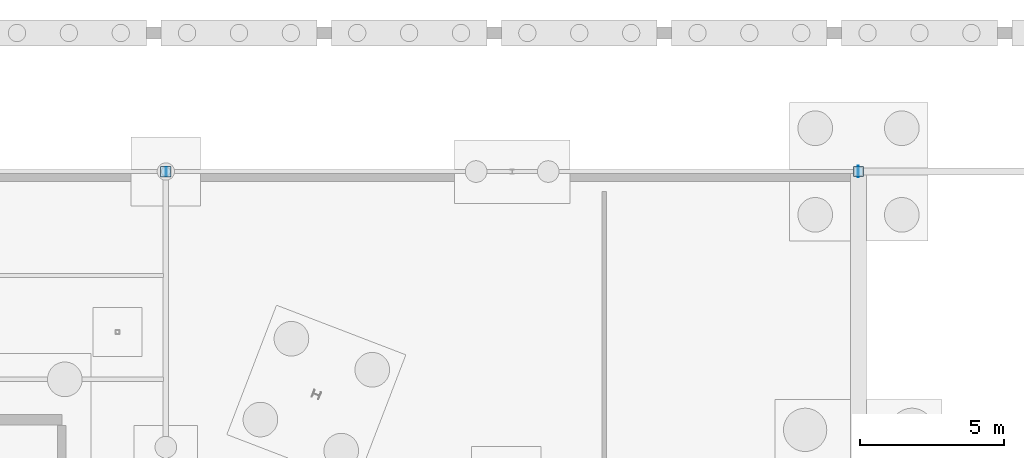
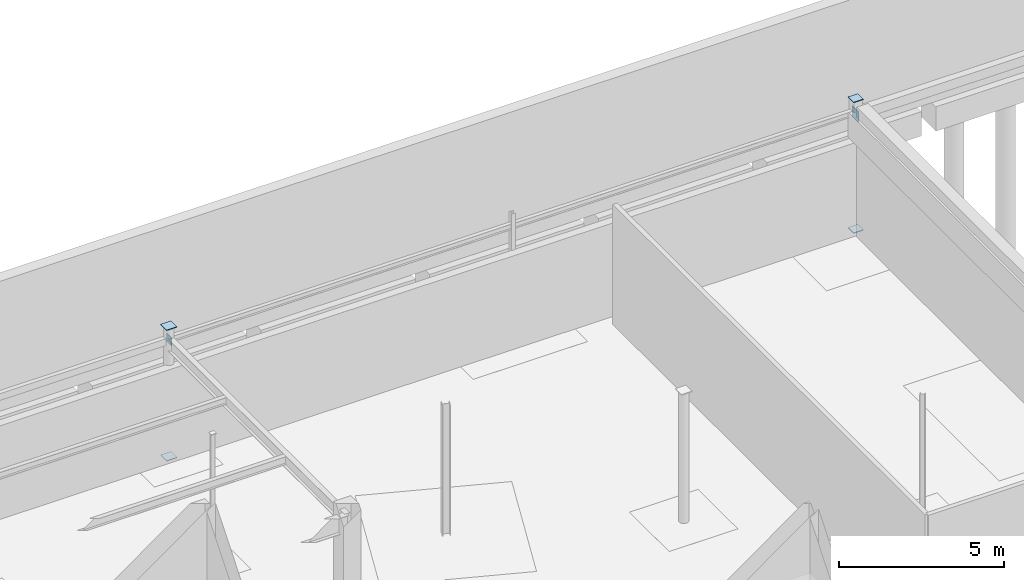
# One storey, part 115 of 136: 6 plates.
"""IFC4 building model written with IfcOpenShell, lengths in metres."""

import ifcopenshell
import ifcopenshell.guid

model = None  # the IFC model being written
_history = None  # IfcOwnerHistory: only IFC2X3 demands one
_inside = {}  # id of a spatial element -> (the spatial element, [elements in it])
_under = {}  # id of a project, library or spatial element -> (it, [spatial elements below it])
_declared = {}  # id of a project -> (the project, [libraries it declares])
_typed = {}  # id of a type object -> (the type object, [elements of that type])
_made_of = {}  # id of a material, layer set ... -> (it, [elements and type objects made of it])


def new_model(schema):
    """Start an empty IFC model of exactly this schema.

    Asked for "IFC4X3", IfcOpenShell would pick the latest addendum, in which some entities
    have other attributes; the version numbers below select the first issue.
    IFC2X3 requires an IfcOwnerHistory on every rooted entity: one is made here for all.
    """
    global model, _history
    if schema == "IFC4X3":
        model = ifcopenshell.file(schema_version=(4, 3, 0, 0))
    else:
        model = ifcopenshell.file(schema=schema)
    _inside.clear()
    _under.clear()
    _declared.clear()
    _typed.clear()
    _made_of.clear()
    _history = None
    if model.schema == "IFC2X3":
        org = make("IfcOrganization", Name="unknown")
        user = make(
            "IfcPersonAndOrganization",
            ThePerson=make("IfcPerson", FamilyName="unknown"),
            TheOrganization=org,
        )
        app = make(
            "IfcApplication",
            ApplicationDeveloper=org,
            Version="unknown",
            ApplicationFullName="unknown",
            ApplicationIdentifier="unknown",
        )
        _history = make(
            "IfcOwnerHistory",
            OwningUser=user,
            OwningApplication=app,
            ChangeAction="ADDED",
            CreationDate=0,
        )
    return model


def make(cls, **values):
    """One entity of the class cls with the attributes given. An attribute that is None is left unset."""
    return model.create_entity(
        cls, **{name: value for name, value in values.items() if value is not None}
    )


def rooted(cls, **values):
    """An entity with a GlobalId (a new one), such as an element, a storey or a relation."""
    return make(cls, GlobalId=ifcopenshell.guid.new(), OwnerHistory=_history, **values)


def si_unit(unit_type, name, prefix=None):
    """IfcSIUnit, for example si_unit("LENGTHUNIT", "METRE", prefix="MILLI")."""
    return make("IfcSIUnit", UnitType=unit_type, Prefix=prefix, Name=name)


def assignment(units):
    """IfcUnitAssignment: the units of a project."""
    return None if units is None else make("IfcUnitAssignment", Units=units)


def point(xyz):
    """IfcCartesianPoint."""
    return None if xyz is None else make("IfcCartesianPoint", Coordinates=xyz)


def direction(xyz):
    """IfcDirection."""
    return None if xyz is None else make("IfcDirection", DirectionRatios=xyz)


def frame(location, z_axis=None, x_axis=None):
    """IfcAxis2Placement3D, a coordinate frame: its origin and axes. An axis left out is left unset."""
    return make(
        "IfcAxis2Placement3D",
        Location=point(location),
        Axis=direction(z_axis),
        RefDirection=direction(x_axis),
    )


def frame_2d(location, x_axis=None):
    """IfcAxis2Placement2D, a coordinate frame in the plane: its origin and x axis."""
    return make(
        "IfcAxis2Placement2D", Location=point(location), RefDirection=direction(x_axis)
    )


def origin():
    """The frame at (0, 0, 0) with its axes left unset."""
    return frame((0.0, 0.0, 0.0))


def origin_2d():
    """The frame at (0, 0) in the plane with its x axis left unset."""
    return frame_2d((0.0, 0.0))


def place(relative_to, where):
    """IfcLocalPlacement: puts the frame where relative to a parent placement (None: the world)."""
    return make(
        "IfcLocalPlacement", PlacementRelTo=relative_to, RelativePlacement=where
    )


def context(
    kind, dimensions, precision=None, world=None, true_north=None, identifier=None
):
    """IfcGeometricRepresentationContext, for example the 3D "Model" context."""
    return make(
        "IfcGeometricRepresentationContext",
        ContextIdentifier=identifier,
        ContextType=kind,
        CoordinateSpaceDimension=dimensions,
        Precision=precision,
        WorldCoordinateSystem=world,
        TrueNorth=true_north,
    )


def subcontext(parent, identifier, kind, view, scale=None):
    """IfcGeometricRepresentationSubContext, for example "Body" below "Model"."""
    return make(
        "IfcGeometricRepresentationSubContext",
        ContextIdentifier=identifier,
        ContextType=kind,
        ParentContext=parent,
        TargetScale=scale,
        TargetView=view,
    )


def project(units=None, contexts=None):
    """IfcProject with its units and contexts."""
    return rooted(
        "IfcProject",
        Name="project",
        RepresentationContexts=contexts,
        UnitsInContext=assignment(units),
    )


def spatial(cls, under=None, at=None, **own):
    """A site, building, storey or space (cls), placed at a placement, below another one or the project."""
    s = rooted(cls, ObjectPlacement=at, **own)
    if under is not None:
        _under.setdefault(under.id(), (under, []))[1].append(s)
    return s


def profile(cls, at=None, kind="AREA", **sizes):
    """A parametric profile (cls). Its sizes go by their IFC names, for example OverallWidth=200.0."""
    return make(cls, ProfileType=kind, Position=at, **sizes)


def rectangle(**sizes):
    """IfcRectangleProfileDef."""
    return profile("IfcRectangleProfileDef", **sizes)


def extrude(swept, where, along, depth):
    """IfcExtrudedAreaSolid: the profile swept, set in the frame where, extruded along a direction by depth."""
    return make(
        "IfcExtrudedAreaSolid",
        SweptArea=swept,
        Position=where,
        ExtrudedDirection=direction(along),
        Depth=depth,
    )


def shape(context_of_items, identifier, shape_type, items):
    """IfcShapeRepresentation: the items that make up one representation, for example the "Body"."""
    return make(
        "IfcShapeRepresentation",
        ContextOfItems=context_of_items,
        RepresentationIdentifier=identifier,
        RepresentationType=shape_type,
        Items=items,
    )


def material(Name=None, Category=None):
    """IfcMaterial."""
    return make("IfcMaterial", Name=Name, Category=Category)


def layer(
    of_material, thickness, ventilated=None, Name=None, Category=None, Priority=None
):
    """IfcMaterialLayer: one layer of a wall or slab, of a material (None: an air gap)."""
    return make(
        "IfcMaterialLayer",
        Material=of_material,
        LayerThickness=thickness,
        IsVentilated=ventilated,
        Name=Name,
        Category=Category,
        Priority=Priority,
    )


def layer_set(layers, Name=None):
    """IfcMaterialLayerSet."""
    return make("IfcMaterialLayerSet", MaterialLayers=layers, LayerSetName=Name)


def made_of(thing, what):
    """Note that an element or type object is made of a material, layer set ...; save() writes the relation."""
    if what is not None:
        _made_of.setdefault(what.id(), (what, []))[1].append(thing)
    return thing


def type_object(cls, material=None, **own):
    """A type object (cls), such as IfcWallType, which elements share."""
    return made_of(rooted(cls, **own), material)


def element(
    cls,
    number,
    at=None,
    inside=None,
    cuts=None,
    type_object=None,
    material=None,
    context=None,
    identifier="Body",
    shape_type=None,
    held_by="IfcProductDefinitionShape",
    body=None,
    shapes=None,
    **own,
):
    """One element of the class cls, such as IfcWall. Its Tag is "e" and its number.

    at: its placement. inside: the storey or other place that contains it. cuts: it is an
    opening in that element (IfcRelVoidsElement). A single representation is given by context,
    identifier, shape_type and body (its items); several are given by shapes. held_by: the class
    of the entity that holds the representations. save() writes the other relations.
    """
    e = rooted(cls, Tag="e%d" % number, ObjectPlacement=at, **own)
    if body is not None:
        shapes = [shape(context, identifier, shape_type, body)]
    if shapes is not None:
        e.Representation = make(held_by, Representations=shapes)
    if inside is not None:
        _inside.setdefault(inside.id(), (inside, []))[1].append(e)
    if cuts is not None:
        rooted(
            "IfcRelVoidsElement", RelatingBuildingElement=cuts, RelatedOpeningElement=e
        )
    if type_object is not None:
        _typed.setdefault(type_object.id(), (type_object, []))[1].append(e)
    return made_of(e, material)


def aggregate(whole, parts):
    """IfcRelAggregates: a whole, such as a stair, and the parts it consists of."""
    return rooted("IfcRelAggregates", RelatingObject=whole, RelatedObjects=parts)


def save(model, path):
    """Write the relations noted so far, then the file.

    IfcRelAggregates (storeys below a building ...), IfcRelContainedInSpatialStructure (elements
    in a storey), IfcRelDefinesByType, IfcRelAssociatesMaterial and IfcRelDeclares: one each for
    every whole, place, type object, material and project.
    """
    for whole, parts in _under.values():
        aggregate(whole, parts)
    for where, things in _inside.values():
        rooted(
            "IfcRelContainedInSpatialStructure",
            RelatedElements=things,
            RelatingStructure=where,
        )
    for kind, things in _typed.values():
        rooted("IfcRelDefinesByType", RelatedObjects=things, RelatingType=kind)
    for what, things in _made_of.values():
        rooted("IfcRelAssociatesMaterial", RelatedObjects=things, RelatingMaterial=what)
    for by, libraries in _declared.values():
        rooted("IfcRelDeclares", RelatingContext=by, RelatedDefinitions=libraries)
    model.write(path)


model = new_model("IFC4")

# Units and contexts
model_context = context("Model", 3, precision=1e-05, world=origin(), true_north=direction((0.0, 1.0)))
body_context = subcontext(model_context, "Body", "Model", "MODEL_VIEW")
ifc_project = project(units=[si_unit("LENGTHUNIT", "METRE"), si_unit("AREAUNIT", "SQUARE_METRE"), si_unit("VOLUMEUNIT", "CUBIC_METRE"), si_unit("PLANEANGLEUNIT", "RADIAN"), si_unit("MASSUNIT", "GRAM", prefix="KILO")], contexts=[model_context])

# Site, building, storey
site_placement = place(None, origin())
site = spatial("IfcSite", under=ifc_project, at=site_placement, CompositionType="ELEMENT")
building_placement = place(site_placement, origin())
building = spatial("IfcBuilding", under=site, at=building_placement, Name="Tarnwether General Hospital", CompositionType="ELEMENT")
storey_placement = place(building_placement, frame((0.0, 0.0, -4.800048828125)))
storey = spatial("IfcBuildingStorey", under=building, at=storey_placement, Name="LG", CompositionType="ELEMENT", Elevation=-4.800048828125)

# Plates
ifc_material = material(Name="Steel Grade 350 (350 MPa)", Category="steel")
ifc_layer = layer(ifc_material, 0.02490234375)
ifc_layer_set = layer_set([ifc_layer], Name="Steel Grade 350 (350 MPa)")
plate_type = type_object("IfcPlateType", Name="PT-GUS2", PredefinedType="USERDEFINED", material=ifc_layer_set)
for number, where, z_axis, x_axis, name in (
    (1, (108.0, 126.0, -0.02490234375), (0.0, 0.0, 1.0), (1.0, 0.0, 0.0), "Hollow Section Welded End Cap Plate 0209"),
    (2, (108.0, 126.0, 4.800048828125), (0.0, 0.0, 1.0), (1.0, 0.0, 0.0), "Hollow Section Welded End Cap Plate 0210"),
):
    element("IfcPlate", number, at=place(storey_placement, frame(where, z_axis=z_axis, x_axis=x_axis)), inside=storey, type_object=plate_type, Name=name, ObjectType="GUSSET", PredefinedType="USERDEFINED", context=body_context, shape_type="SweptSolid", body=[
        extrude(rectangle(XDim=0.364013671875, YDim=0.364013671875, at=origin_2d()), origin(), (0.0, 0.0, 1.0), 0.02490234375),
    ])
for number, where, z_axis, x_axis, name in (
    (3, (132.0, 126.0, -0.02490234375), (0.0, 0.0, 1.0), (1.0, 0.0, 0.0), "Hollow Section Welded End Cap Plate 0261"),
    (4, (132.0, 126.0, 4.800048828125), (0.0, 0.0, 1.0), (1.0, 0.0, 0.0), "Hollow Section Welded End Cap Plate 0262"),
):
    element("IfcPlate", number, at=place(storey_placement, frame(where, z_axis=z_axis, x_axis=x_axis)), inside=storey, type_object=plate_type, Name=name, ObjectType="GUSSET", PredefinedType="USERDEFINED", context=body_context, shape_type="SweptSolid", body=[
        extrude(rectangle(XDim=0.340087890625, YDim=0.340087890625, at=origin_2d()), origin(), (0.0, 0.0, 1.0), 0.02490234375),
    ])
plate_1_placement = place(storey_placement, frame((108.012451171875, 126.0, 4.159912109375), z_axis=(0.0, 0.0, 1.0), x_axis=(1.0, 0.0, 0.0)))
element("IfcPlate", 5, at=plate_1_placement, inside=storey, type_object=plate_type, Name="Hollow Section Welded End Cap Plate 0832", ObjectType="GUSSET", PredefinedType="USERDEFINED", context=body_context, shape_type="SweptSolid", body=[
    extrude(rectangle(XDim=0.02490234375, YDim=0.2900390625, at=origin_2d()), origin(), (0.0, 0.0, 1.0), 0.2900390625),
])
plate_2_placement = place(storey_placement, frame((131.987548828125, 126.0, 4.05029296875), z_axis=(0.0, 0.0, 1.0), x_axis=(1.0, 0.0, 0.0)))
element("IfcPlate", 6, at=plate_2_placement, inside=storey, type_object=plate_type, Name="Hollow Section Welded End Cap Plate 0837", ObjectType="GUSSET", PredefinedType="USERDEFINED", context=body_context, shape_type="SweptSolid", body=[
    extrude(rectangle(XDim=0.02490234375, YDim=0.389892578125, at=origin_2d()), origin(), (0.0, 0.0, 1.0), 0.389892578125),
])

save(model, "model.ifc")
